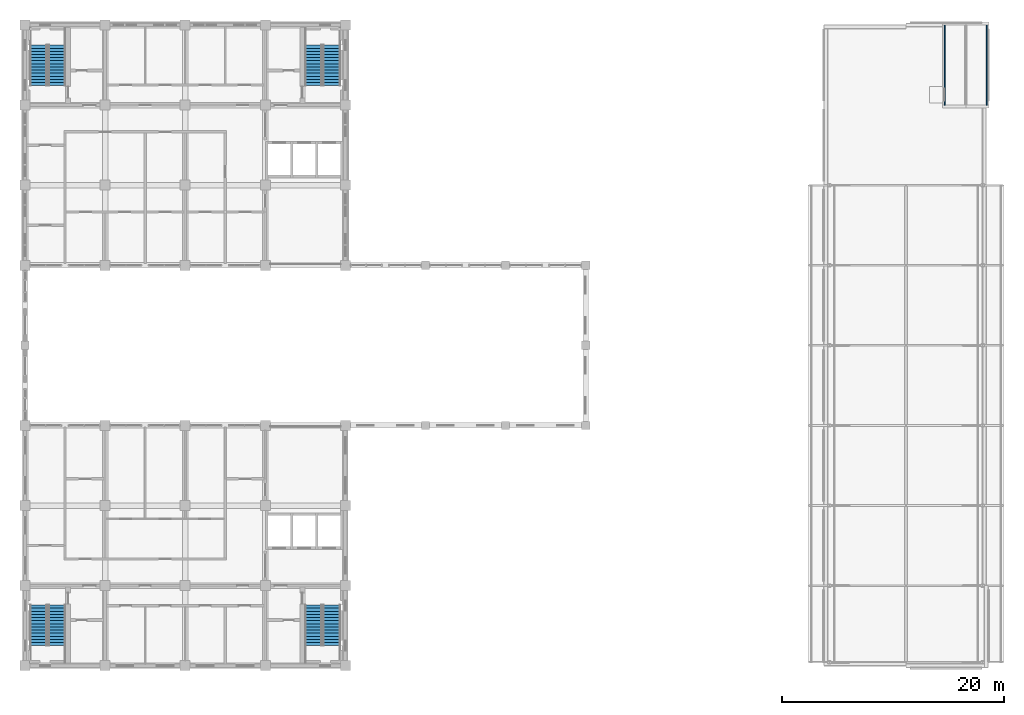
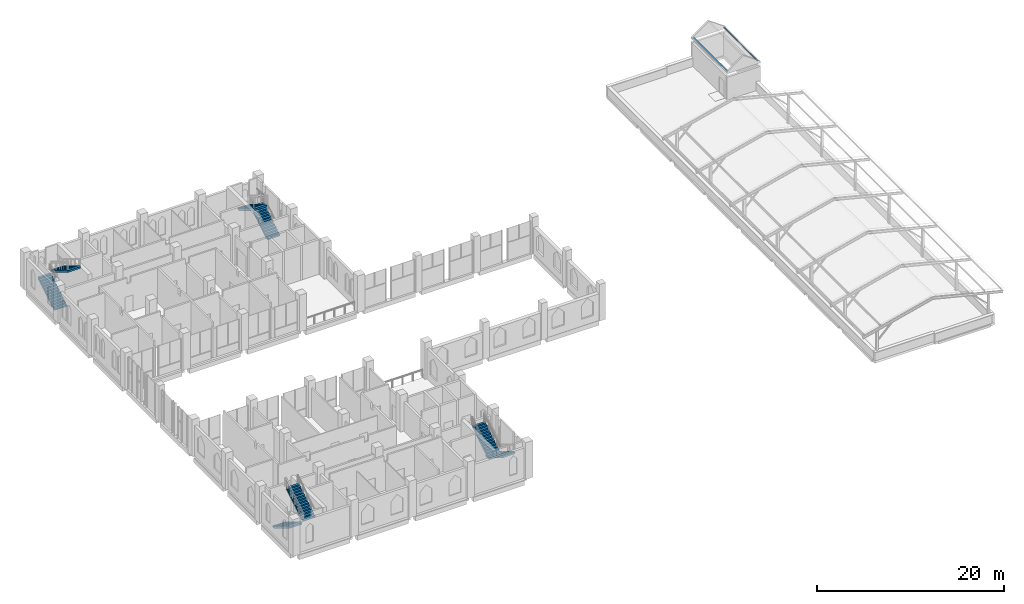
# One storey, part 27 of 30: 8 stair flights, 2 discrete accessories, 4 elements without a shape of their own.
"""IFC4 building model written with IfcOpenShell, lengths in metres."""

from ifc_helpers import new_model, si_unit, direction, frame, origin, place, context, subcontext, project, spatial, polyline, outline, extrude, material, type_object, element, aggregate, save


model = new_model("IFC4")

# Units and contexts
model_context = context("Model", 3, precision=1e-05, world=origin(), true_north=direction((0.0, 1.0)))
body_context = subcontext(model_context, "Body", "Model", "MODEL_VIEW")
ifc_project = project(units=[si_unit("LENGTHUNIT", "METRE"), si_unit("AREAUNIT", "SQUARE_METRE"), si_unit("VOLUMEUNIT", "CUBIC_METRE"), si_unit("PLANEANGLEUNIT", "RADIAN"), si_unit("MASSUNIT", "GRAM", prefix="KILO")], contexts=[model_context])

# Site, building, storey
site_placement = place(None, origin())
site = spatial("IfcSite", under=ifc_project, at=site_placement, CompositionType="ELEMENT")
building_placement = place(site_placement, origin())
building = spatial("IfcBuilding", under=site, at=building_placement, Name="Silangan Lancet Faculty of Sciences", CompositionType="ELEMENT")
storey_placement = place(building_placement, frame((0.0, 0.0, 31.199951171875)))
storey = spatial("IfcBuildingStorey", under=building, at=storey_placement, Name="L06", CompositionType="ELEMENT", Elevation=31.199951171875)

# Stair, stair flights
ifc_material_1 = material(Name="Concrete C40/50", Category="concrete")
stair_type = type_object("IfcStairType", Name="TURRET STAIR 1550 TWO-FLIGHT", PredefinedType="HALF_TURN_STAIR", material=ifc_material_1)
stair_1_placement = place(storey_placement, origin())
stair_1 = element("IfcStair", 1, at=stair_1_placement, inside=storey, type_object=stair_type, Name="NT-A stair L06", PredefinedType="HALF_TURN_STAIR")
ifc_material_2 = material(Name="Concrete C40/50", Category="concrete")
stair_flight_type = type_object("IfcStairFlightType", Name="TURRET STAIR FLIGHT 1550", PredefinedType="STRAIGHT", material=ifc_material_2)
stair_flight_1_placement = place(storey_placement, frame((1.22509765625, 52.14990234375, 0.0), z_axis=(0.0, 0.0, 1.0), x_axis=(0.0, 1.0, 0.0)))
stair_flight_1 = element("IfcStairFlight", 2, at=stair_flight_1_placement, type_object=stair_flight_type, Name="STR3 flight 1", NumberOfRisers=14, NumberOfTreads=13, PredefinedType="STRAIGHT", RiserHeight=0.171428571, TreadLength=0.28, context=body_context, shape_type="SweptSolid", body=[
    extrude(outline(polyline([(0.0, 0.0), (0.0, 0.17138671875), (0.280029296875, 0.17138671875), (0.280029296875, 0.3427734375), (0.56005859375, 0.3427734375), (0.56005859375, 0.514404296875), (0.840087890625, 0.514404296875), (0.840087890625, 0.685791015625), (1.1201171875, 0.685791015625), (1.1201171875, 0.857177734375), (1.39990234375, 0.857177734375), (1.39990234375, 1.028564453125), (1.679931640625, 1.028564453125), (1.679931640625, 1.199951171875), (1.9599609375, 1.199951171875), (1.9599609375, 1.371337890625), (2.239990234375, 1.371337890625), (2.239990234375, 1.54296875), (2.52001953125, 1.54296875), (2.52001953125, 1.71435546875), (2.800048828125, 1.71435546875), (2.800048828125, 1.8857421875), (3.080078125, 1.8857421875), (3.080078125, 2.05712890625), (3.360107421875, 2.05712890625), (3.360107421875, 2.228515625), (3.639892578125, 2.228515625), (3.639892578125, 2.39990234375), (3.639892578125, 1.994140625), (0.383056640625, 0.0), (0.0, 0.0)])), frame((0.0, 0.77490234375, 0.0), z_axis=(0.0, -1.0, 0.0), x_axis=(1.0, 0.0, 0.0)), (0.0, 0.0, 1.0), 1.550048828125),
])
stair_flight_2_placement = place(storey_placement, frame((2.875, 55.7900390625, 2.400146484375), z_axis=(0.0, 0.0, 1.0), x_axis=(0.0, -1.0, 0.0)))
stair_flight_2 = element("IfcStairFlight", 3, at=stair_flight_2_placement, type_object=stair_flight_type, Name="STR3 flight 2", NumberOfRisers=14, NumberOfTreads=13, PredefinedType="STRAIGHT", RiserHeight=0.171428571, TreadLength=0.28, context=body_context, shape_type="SweptSolid", body=[
    extrude(outline(polyline([(0.0, 0.0), (0.0, 0.17138671875), (0.280029296875, 0.17138671875), (0.280029296875, 0.3427734375), (0.56005859375, 0.3427734375), (0.56005859375, 0.514404296875), (0.840087890625, 0.514404296875), (0.840087890625, 0.685791015625), (1.1201171875, 0.685791015625), (1.1201171875, 0.857177734375), (1.39990234375, 0.857177734375), (1.39990234375, 1.028564453125), (1.679931640625, 1.028564453125), (1.679931640625, 1.199951171875), (1.9599609375, 1.199951171875), (1.9599609375, 1.371337890625), (2.239990234375, 1.371337890625), (2.239990234375, 1.54296875), (2.52001953125, 1.54296875), (2.52001953125, 1.71435546875), (2.800048828125, 1.71435546875), (2.800048828125, 1.8857421875), (3.080078125, 1.8857421875), (3.080078125, 2.05712890625), (3.360107421875, 2.05712890625), (3.360107421875, 2.228515625), (3.639892578125, 2.228515625), (3.639892578125, 2.39990234375), (3.639892578125, 1.994140625), (0.383056640625, 0.0), (0.0, 0.0)])), frame((0.0, 0.77490234375, 0.0), z_axis=(0.0, -1.0, 0.0), x_axis=(1.0, 0.0, 0.0)), (0.0, 0.0, 1.0), 1.550048828125),
])
aggregate(stair_1, [stair_flight_1, stair_flight_2])

stair_2_placement = place(storey_placement, origin())
stair_2 = element("IfcStair", 4, at=stair_2_placement, inside=storey, type_object=stair_type, Name="NT-B stair L06", PredefinedType="HALF_TURN_STAIR")
stair_flight_3_placement = place(storey_placement, frame((27.574951171875, 52.14990234375, 0.0), z_axis=(0.0, 0.0, 1.0), x_axis=(0.0, 1.0, 0.0)))
stair_flight_3 = element("IfcStairFlight", 5, at=stair_flight_3_placement, type_object=stair_flight_type, Name="STR4 flight 1", NumberOfRisers=14, NumberOfTreads=13, PredefinedType="STRAIGHT", RiserHeight=0.171428571, TreadLength=0.28, context=body_context, shape_type="SweptSolid", body=[
    extrude(outline(polyline([(0.0, 0.0), (0.0, 0.17138671875), (0.280029296875, 0.17138671875), (0.280029296875, 0.3427734375), (0.56005859375, 0.3427734375), (0.56005859375, 0.514404296875), (0.840087890625, 0.514404296875), (0.840087890625, 0.685791015625), (1.1201171875, 0.685791015625), (1.1201171875, 0.857177734375), (1.39990234375, 0.857177734375), (1.39990234375, 1.028564453125), (1.679931640625, 1.028564453125), (1.679931640625, 1.199951171875), (1.9599609375, 1.199951171875), (1.9599609375, 1.371337890625), (2.239990234375, 1.371337890625), (2.239990234375, 1.54296875), (2.52001953125, 1.54296875), (2.52001953125, 1.71435546875), (2.800048828125, 1.71435546875), (2.800048828125, 1.8857421875), (3.080078125, 1.8857421875), (3.080078125, 2.05712890625), (3.360107421875, 2.05712890625), (3.360107421875, 2.228515625), (3.639892578125, 2.228515625), (3.639892578125, 2.39990234375), (3.639892578125, 1.994140625), (0.383056640625, 0.0), (0.0, 0.0)])), frame((0.0, 0.77490234375, 0.0), z_axis=(0.0, -1.0, 0.0), x_axis=(1.0, 0.0, 0.0)), (0.0, 0.0, 1.0), 1.550048828125),
])
stair_flight_4_placement = place(storey_placement, frame((25.925048828125, 55.7900390625, 2.400146484375), z_axis=(0.0, 0.0, 1.0), x_axis=(0.0, -1.0, 0.0)))
stair_flight_4 = element("IfcStairFlight", 6, at=stair_flight_4_placement, type_object=stair_flight_type, Name="STR4 flight 2", NumberOfRisers=14, NumberOfTreads=13, PredefinedType="STRAIGHT", RiserHeight=0.171428571, TreadLength=0.28, context=body_context, shape_type="SweptSolid", body=[
    extrude(outline(polyline([(0.0, 0.0), (0.0, 0.17138671875), (0.280029296875, 0.17138671875), (0.280029296875, 0.3427734375), (0.56005859375, 0.3427734375), (0.56005859375, 0.514404296875), (0.840087890625, 0.514404296875), (0.840087890625, 0.685791015625), (1.1201171875, 0.685791015625), (1.1201171875, 0.857177734375), (1.39990234375, 0.857177734375), (1.39990234375, 1.028564453125), (1.679931640625, 1.028564453125), (1.679931640625, 1.199951171875), (1.9599609375, 1.199951171875), (1.9599609375, 1.371337890625), (2.239990234375, 1.371337890625), (2.239990234375, 1.54296875), (2.52001953125, 1.54296875), (2.52001953125, 1.71435546875), (2.800048828125, 1.71435546875), (2.800048828125, 1.8857421875), (3.080078125, 1.8857421875), (3.080078125, 2.05712890625), (3.360107421875, 2.05712890625), (3.360107421875, 2.228515625), (3.639892578125, 2.228515625), (3.639892578125, 2.39990234375), (3.639892578125, 1.994140625), (0.383056640625, 0.0), (0.0, 0.0)])), frame((0.0, 0.77490234375, 0.0), z_axis=(0.0, -1.0, 0.0), x_axis=(1.0, 0.0, 0.0)), (0.0, 0.0, 1.0), 1.550048828125),
])
aggregate(stair_2, [stair_flight_3, stair_flight_4])

stair_3_placement = place(storey_placement, origin())
stair_3 = element("IfcStair", 7, at=stair_3_placement, inside=storey, type_object=stair_type, Name="ST-A stair L06", PredefinedType="HALF_TURN_STAIR")
stair_flight_5_placement = place(storey_placement, frame((1.22509765625, 5.449951171875, 0.0), z_axis=(0.0, 0.0, 1.0), x_axis=(0.0, -1.0, 0.0)))
stair_flight_5 = element("IfcStairFlight", 8, at=stair_flight_5_placement, type_object=stair_flight_type, Name="STR1 flight 1", NumberOfRisers=14, NumberOfTreads=13, PredefinedType="STRAIGHT", RiserHeight=0.171428571, TreadLength=0.28, context=body_context, shape_type="SweptSolid", body=[
    extrude(outline(polyline([(0.0, 0.0), (0.0, 0.17138671875), (0.280029296875, 0.17138671875), (0.280029296875, 0.3427734375), (0.56005859375, 0.3427734375), (0.56005859375, 0.514404296875), (0.840087890625, 0.514404296875), (0.840087890625, 0.685791015625), (1.1201171875, 0.685791015625), (1.1201171875, 0.857177734375), (1.39990234375, 0.857177734375), (1.39990234375, 1.028564453125), (1.679931640625, 1.028564453125), (1.679931640625, 1.199951171875), (1.9599609375, 1.199951171875), (1.9599609375, 1.371337890625), (2.239990234375, 1.371337890625), (2.239990234375, 1.54296875), (2.52001953125, 1.54296875), (2.52001953125, 1.71435546875), (2.800048828125, 1.71435546875), (2.800048828125, 1.8857421875), (3.080078125, 1.8857421875), (3.080078125, 2.05712890625), (3.360107421875, 2.05712890625), (3.360107421875, 2.228515625), (3.639892578125, 2.228515625), (3.639892578125, 2.39990234375), (3.639892578125, 1.994140625), (0.383056640625, 0.0), (0.0, 0.0)])), frame((0.0, 0.77490234375, 0.0), z_axis=(0.0, -1.0, 0.0), x_axis=(1.0, 0.0, 0.0)), (0.0, 0.0, 1.0), 1.550048828125),
])
stair_flight_6_placement = place(storey_placement, frame((2.875, 1.81005859375, 2.400146484375), z_axis=(0.0, 0.0, 1.0), x_axis=(0.0, 1.0, 0.0)))
stair_flight_6 = element("IfcStairFlight", 9, at=stair_flight_6_placement, type_object=stair_flight_type, Name="STR1 flight 2", NumberOfRisers=14, NumberOfTreads=13, PredefinedType="STRAIGHT", RiserHeight=0.171428571, TreadLength=0.28, context=body_context, shape_type="SweptSolid", body=[
    extrude(outline(polyline([(0.0, 0.0), (0.0, 0.17138671875), (0.280029296875, 0.17138671875), (0.280029296875, 0.3427734375), (0.56005859375, 0.3427734375), (0.56005859375, 0.514404296875), (0.840087890625, 0.514404296875), (0.840087890625, 0.685791015625), (1.1201171875, 0.685791015625), (1.1201171875, 0.857177734375), (1.39990234375, 0.857177734375), (1.39990234375, 1.028564453125), (1.679931640625, 1.028564453125), (1.679931640625, 1.199951171875), (1.9599609375, 1.199951171875), (1.9599609375, 1.371337890625), (2.239990234375, 1.371337890625), (2.239990234375, 1.54296875), (2.52001953125, 1.54296875), (2.52001953125, 1.71435546875), (2.800048828125, 1.71435546875), (2.800048828125, 1.8857421875), (3.080078125, 1.8857421875), (3.080078125, 2.05712890625), (3.360107421875, 2.05712890625), (3.360107421875, 2.228515625), (3.639892578125, 2.228515625), (3.639892578125, 2.39990234375), (3.639892578125, 1.994140625), (0.383056640625, 0.0), (0.0, 0.0)])), frame((0.0, 0.77490234375, 0.0), z_axis=(0.0, -1.0, 0.0), x_axis=(1.0, 0.0, 0.0)), (0.0, 0.0, 1.0), 1.550048828125),
])
aggregate(stair_3, [stair_flight_5, stair_flight_6])

stair_4_placement = place(storey_placement, origin())
stair_4 = element("IfcStair", 10, at=stair_4_placement, inside=storey, type_object=stair_type, Name="ST-B stair L06", PredefinedType="HALF_TURN_STAIR")
stair_flight_7_placement = place(storey_placement, frame((27.574951171875, 5.449951171875, 0.0), z_axis=(0.0, 0.0, 1.0), x_axis=(0.0, -1.0, 0.0)))
stair_flight_7 = element("IfcStairFlight", 11, at=stair_flight_7_placement, type_object=stair_flight_type, Name="STR2 flight 1", NumberOfRisers=14, NumberOfTreads=13, PredefinedType="STRAIGHT", RiserHeight=0.171428571, TreadLength=0.28, context=body_context, shape_type="SweptSolid", body=[
    extrude(outline(polyline([(0.0, 0.0), (0.0, 0.17138671875), (0.280029296875, 0.17138671875), (0.280029296875, 0.3427734375), (0.56005859375, 0.3427734375), (0.56005859375, 0.514404296875), (0.840087890625, 0.514404296875), (0.840087890625, 0.685791015625), (1.1201171875, 0.685791015625), (1.1201171875, 0.857177734375), (1.39990234375, 0.857177734375), (1.39990234375, 1.028564453125), (1.679931640625, 1.028564453125), (1.679931640625, 1.199951171875), (1.9599609375, 1.199951171875), (1.9599609375, 1.371337890625), (2.239990234375, 1.371337890625), (2.239990234375, 1.54296875), (2.52001953125, 1.54296875), (2.52001953125, 1.71435546875), (2.800048828125, 1.71435546875), (2.800048828125, 1.8857421875), (3.080078125, 1.8857421875), (3.080078125, 2.05712890625), (3.360107421875, 2.05712890625), (3.360107421875, 2.228515625), (3.639892578125, 2.228515625), (3.639892578125, 2.39990234375), (3.639892578125, 1.994140625), (0.383056640625, 0.0), (0.0, 0.0)])), frame((0.0, 0.77490234375, 0.0), z_axis=(0.0, -1.0, 0.0), x_axis=(1.0, 0.0, 0.0)), (0.0, 0.0, 1.0), 1.550048828125),
])
stair_flight_8_placement = place(storey_placement, frame((25.925048828125, 1.81005859375, 2.400146484375), z_axis=(0.0, 0.0, 1.0), x_axis=(0.0, 1.0, 0.0)))
stair_flight_8 = element("IfcStairFlight", 12, at=stair_flight_8_placement, type_object=stair_flight_type, Name="STR2 flight 2", NumberOfRisers=14, NumberOfTreads=13, PredefinedType="STRAIGHT", RiserHeight=0.171428571, TreadLength=0.28, context=body_context, shape_type="SweptSolid", body=[
    extrude(outline(polyline([(0.0, 0.0), (0.0, 0.17138671875), (0.280029296875, 0.17138671875), (0.280029296875, 0.3427734375), (0.56005859375, 0.3427734375), (0.56005859375, 0.514404296875), (0.840087890625, 0.514404296875), (0.840087890625, 0.685791015625), (1.1201171875, 0.685791015625), (1.1201171875, 0.857177734375), (1.39990234375, 0.857177734375), (1.39990234375, 1.028564453125), (1.679931640625, 1.028564453125), (1.679931640625, 1.199951171875), (1.9599609375, 1.199951171875), (1.9599609375, 1.371337890625), (2.239990234375, 1.371337890625), (2.239990234375, 1.54296875), (2.52001953125, 1.54296875), (2.52001953125, 1.71435546875), (2.800048828125, 1.71435546875), (2.800048828125, 1.8857421875), (3.080078125, 1.8857421875), (3.080078125, 2.05712890625), (3.360107421875, 2.05712890625), (3.360107421875, 2.228515625), (3.639892578125, 2.228515625), (3.639892578125, 2.39990234375), (3.639892578125, 1.994140625), (0.383056640625, 0.0), (0.0, 0.0)])), frame((0.0, 0.77490234375, 0.0), z_axis=(0.0, -1.0, 0.0), x_axis=(1.0, 0.0, 0.0)), (0.0, 0.0, 1.0), 1.550048828125),
])
aggregate(stair_4, [stair_flight_7, stair_flight_8])

# Discrete accessories
ifc_material_3 = material(Name="Concrete C35/45 precast", Category="concrete")
for number, where, z_axis, x_axis, name in (
    (13, (82.625, 50.39990234375, 3.60009765625), (0.0, 1.0, 0.0), (-1.0, 0.0, 0.0), "Head-house EB-B bedding wedge W"),
    (14, (86.52490234375, 57.60009765625, 3.60009765625), (0.0, -1.0, 0.0), (1.0, 0.0, 0.0), "Head-house EB-B bedding wedge E"),
):
    element("IfcDiscreteAccessory", number, at=place(storey_placement, frame(where, z_axis=z_axis, x_axis=x_axis)), inside=storey, material=ifc_material_3, Name=name, PredefinedType="BRACKET", context=body_context, shape_type="SweptSolid", body=[
        extrude(outline(polyline([(0.0, 0.0), (-0.125, 0.0), (-0.125, 0.08740234375), (0.0, 0.0)])), origin(), (0.0, 0.0, 1.0), 7.2001953125),
    ])

save(model, "model.ifc")
